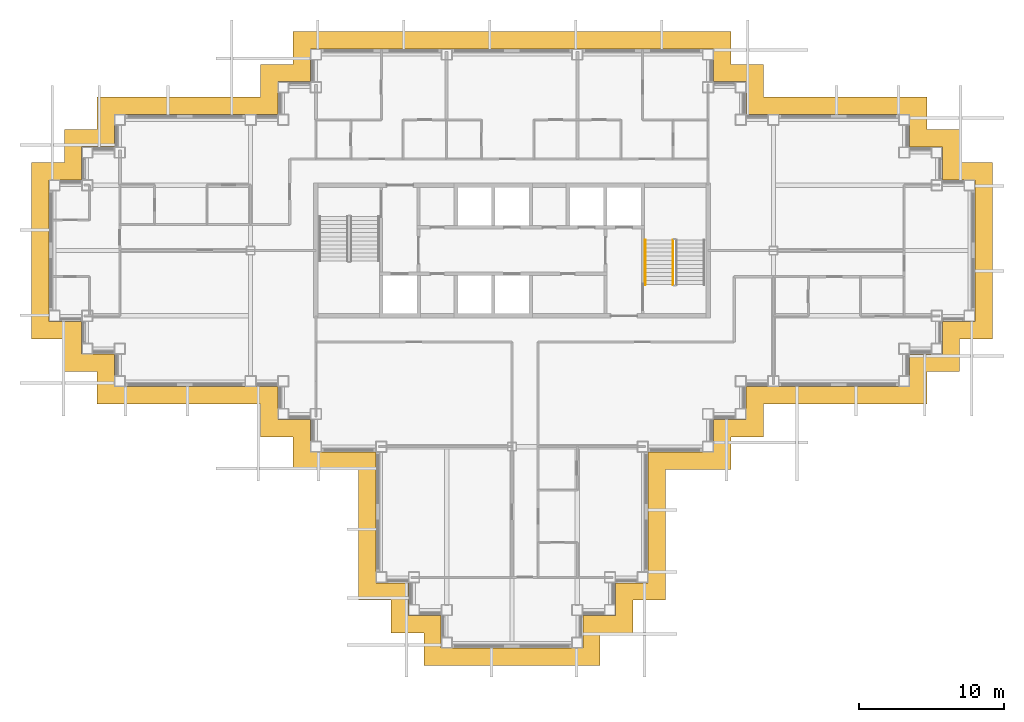
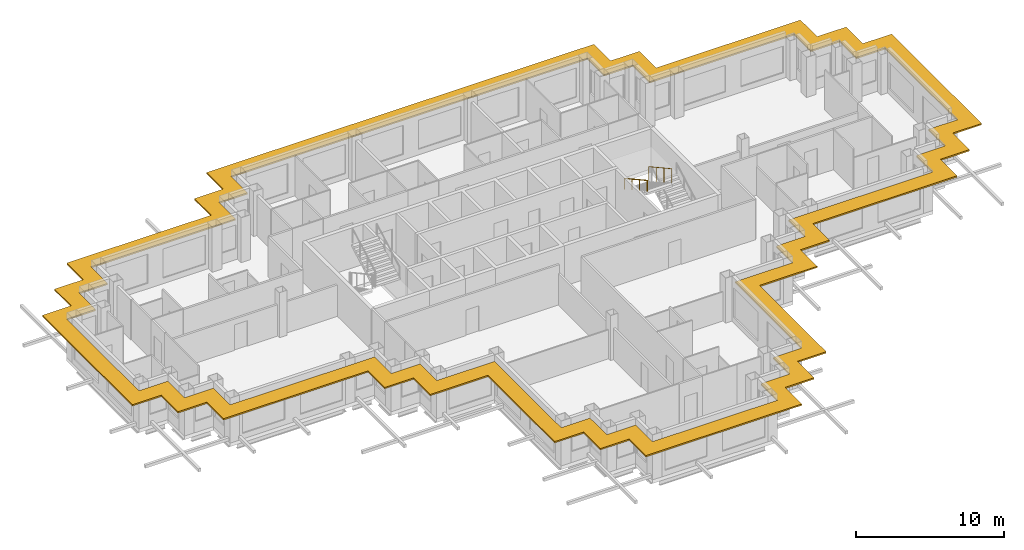
# One storey, part 13 of 14: 2 railings, 1 shading device.
"""IFC4 building model written with IfcOpenShell, lengths in metres."""

from ifc_helpers import new_model, si_unit, direction, frame, origin, origin_2d, place, context, subcontext, project, spatial, polyline, circle, outline, extrude, material, layer, layer_set, type_object, element, save


model = new_model("IFC4")

# Units and contexts
model_context = context("Model", 3, precision=1e-05, world=origin(), true_north=direction((0.0, 1.0)))
body_context = subcontext(model_context, "Body", "Model", "MODEL_VIEW")
ifc_project = project(units=[si_unit("LENGTHUNIT", "METRE"), si_unit("AREAUNIT", "SQUARE_METRE"), si_unit("VOLUMEUNIT", "CUBIC_METRE"), si_unit("PLANEANGLEUNIT", "RADIAN"), si_unit("MASSUNIT", "GRAM", prefix="KILO")], contexts=[model_context])

# Site, building, storey
site_placement = place(None, origin())
site = spatial("IfcSite", under=ifc_project, at=site_placement, CompositionType="ELEMENT")
building_placement = place(site_placement, origin())
building = spatial("IfcBuilding", under=site, at=building_placement, Name="Caravel Reach Hotel and Residences", CompositionType="ELEMENT")
storey_placement = place(building_placement, frame((0.0, 0.0, 183.89990234375)))
storey = spatial("IfcBuildingStorey", under=building, at=storey_placement, Name="L46", CompositionType="ELEMENT", Elevation=183.89990234375)

# Railings
ifc_material_1 = material(Name="Steel balustrade with glass infill", Category="steel")
railing_type_1 = type_object("IfcRailingType", Name="Guard 1200", PredefinedType="GUARDRAIL", material=ifc_material_1)
railing_1_placement = place(storey_placement, frame((42.574951171875, 27.72998046875, 2.004150390625)))
element("IfcRailing", 1, at=railing_1_placement, inside=storey, type_object=railing_type_1, Name="L46 ST-B stair guard 3", PredefinedType="GUARDRAIL", context=body_context, shape_type="SweptSolid", body=[
    extrude(circle(Radius=0.02392578125, at=origin_2d()), frame((0.0, 0.0, 1.17578125), z_axis=(0.0, -0.875975380505, 0.482355815502), x_axis=(1.0, 0.0, 0.0)), (0.0, 0.0, 1.0), 3.51611328125),
    extrude(circle(Radius=0.02099609375, at=origin_2d()), origin(), (0.0, 0.0, 1.0), 1.15185546875),
    extrude(circle(Radius=0.02099609375, at=origin_2d()), frame((0.0, -1.026611328125, 0.5654296875)), (0.0, 0.0, 1.0), 1.15185546875),
    extrude(circle(Radius=0.02099609375, at=origin_2d()), frame((0.0, -2.053466796875, 1.130615234375)), (0.0, 0.0, 1.0), 1.15185546875),
    extrude(circle(Radius=0.02099609375, at=origin_2d()), frame((0.0, -3.080078125, 1.696044921875)), (0.0, 0.0, 1.0), 1.15185546875),
])
ifc_material_2 = material(Name="Stainless steel handrail", Category="steel")
railing_type_2 = type_object("IfcRailingType", Name="Handrail 900", PredefinedType="HANDRAIL", material=ifc_material_2)
railing_2_placement = place(storey_placement, frame((40.675048828125, 27.72998046875, 2.004150390625)))
element("IfcRailing", 2, at=railing_2_placement, inside=storey, type_object=railing_type_2, Name="L46 ST-B stair handrail 2", PredefinedType="HANDRAIL", context=body_context, shape_type="SweptSolid", body=[
    extrude(circle(Radius=0.02392578125, at=origin_2d()), frame((0.0, 0.0, 0.8759765625), z_axis=(0.0, -0.875975380505, 0.482355815502), x_axis=(1.0, 0.0, 0.0)), (0.0, 0.0, 1.0), 3.51611328125),
    extrude(circle(Radius=0.02099609375, at=origin_2d()), origin(), (0.0, 0.0, 1.0), 0.851806640625),
    extrude(circle(Radius=0.02099609375, at=origin_2d()), frame((0.0, -1.026611328125, 0.5654296875)), (0.0, 0.0, 1.0), 0.851806640625),
    extrude(circle(Radius=0.02099609375, at=origin_2d()), frame((0.0, -2.053466796875, 1.130615234375)), (0.0, 0.0, 1.0), 0.851806640625),
    extrude(circle(Radius=0.02099609375, at=origin_2d()), frame((0.0, -3.080078125, 1.696044921875)), (0.0, 0.0, 1.0), 0.851806640625),
])

# Shading device
ifc_material_3 = material(Name="Black powder-coated aluminium", Category="aluminium")
ifc_layer = layer(ifc_material_3, 0.1201171875)
ifc_layer_set = layer_set([ifc_layer], Name="SS1 Sunshade band 1200")
shading_device_type = type_object("IfcShadingDeviceType", Name="SS1 Sunshade band 1200", PredefinedType="USERDEFINED", material=ifc_layer_set)
shading_device_placement = place(storey_placement, frame((0.0, 0.0, 3.0400390625)))
element("IfcShadingDevice", 3, at=shading_device_placement, inside=storey, type_object=shading_device_type, Name="Sunshade L46 1", ObjectType="SUNSHADE", PredefinedType="USERDEFINED", context=body_context, shape_type="SweptSolid", body=[
    extrude(outline(polyline([(20.925048828125, 11.925048828125), (20.925048828125, 2.925048828125), (23.175048828125, 2.925048828125), (23.175048828125, 0.675048828125), (25.425048828125, 0.675048828125), (25.425048828125, -1.574951171875), (37.574951171875, -1.574951171875), (37.574951171875, 0.675048828125), (39.824951171875, 0.675048828125), (39.824951171875, 2.925048828125), (42.074951171875, 2.925048828125), (42.074951171875, 11.925048828125), (46.574951171875, 11.925048828125), (46.574951171875, 14.175048828125), (48.824951171875, 14.175048828125), (48.824951171875, 16.425048828125), (60.074951171875, 16.425048828125), (60.074951171875, 18.675048828125), (62.324951171875, 18.675048828125), (62.324951171875, 20.925048828125), (64.574951171875, 20.925048828125), (64.574951171875, 33.074951171875), (62.324951171875, 33.074951171875), (62.324951171875, 35.324951171875), (60.074951171875, 35.324951171875), (60.074951171875, 37.574951171875), (48.824951171875, 37.574951171875), (48.824951171875, 39.824951171875), (46.574951171875, 39.824951171875), (46.574951171875, 42.074951171875), (16.425048828125, 42.074951171875), (16.425048828125, 39.824951171875), (14.175048828125, 39.824951171875), (14.175048828125, 37.574951171875), (2.925048828125, 37.574951171875), (2.925048828125, 35.324951171875), (0.675048828125, 35.324951171875), (0.675048828125, 33.074951171875), (-1.574951171875, 33.074951171875), (-1.574951171875, 20.925048828125), (0.675048828125, 20.925048828125), (0.675048828125, 18.675048828125), (2.925048828125, 18.675048828125), (2.925048828125, 16.425048828125), (14.175048828125, 16.425048828125), (14.175048828125, 14.175048828125), (16.425048828125, 14.175048828125), (16.425048828125, 11.925048828125), (20.925048828125, 11.925048828125)]), holes=[polyline([(24.375, 4.125), (22.125, 4.125), (22.125, 13.125), (17.625, 13.125), (17.625, 15.375), (15.375, 15.375), (15.375, 17.625), (4.125, 17.625), (4.125, 19.875), (1.875, 19.875), (1.875, 22.125), (-0.375, 22.125), (-0.375, 31.875), (1.875, 31.875), (1.875, 34.125), (4.125, 34.125), (4.125, 36.375), (15.375, 36.375), (15.375, 38.625), (17.625, 38.625), (17.625, 40.875), (45.375, 40.875), (45.375, 38.625), (47.625, 38.625), (47.625, 36.375), (58.875, 36.375), (58.875, 34.125), (61.125, 34.125), (61.125, 31.875), (63.375, 31.875), (63.375, 22.125), (61.125, 22.125), (61.125, 19.875), (58.875, 19.875), (58.875, 17.625), (47.625, 17.625), (47.625, 15.375), (45.375, 15.375), (45.375, 13.125), (40.875, 13.125), (40.875, 4.125), (38.625, 4.125), (38.625, 1.875), (36.375, 1.875), (36.375, -0.375), (26.625, -0.375), (26.625, 1.875), (24.375, 1.875), (24.375, 4.125)])]), origin(), (0.0, 0.0, 1.0), 0.1201171875),
])

save(model, "model.ifc")
